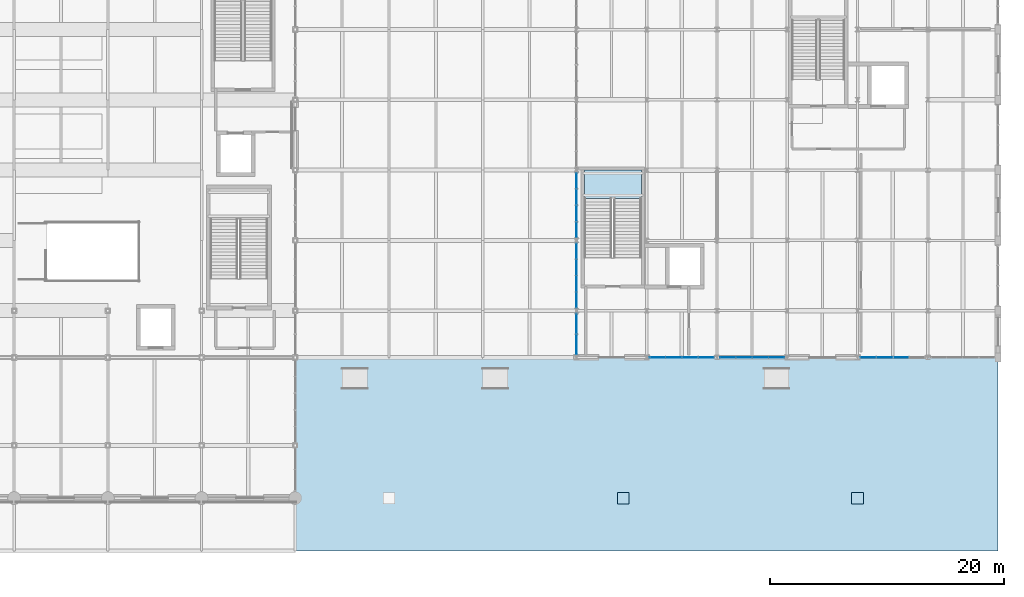
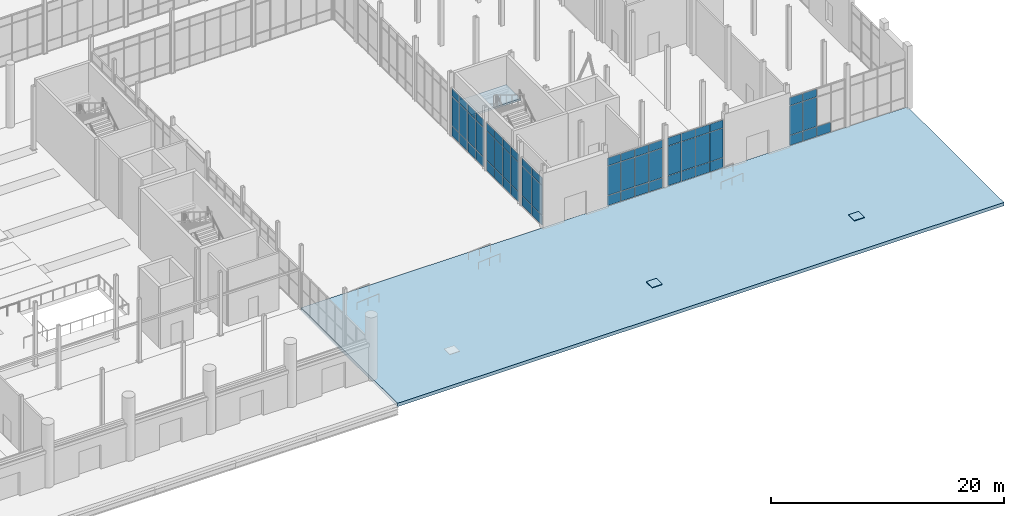
# One storey, part 106 of 140: 63 plates, 2 slabs, 7 elements without a shape of their own.
"""IFC4 building model written with IfcOpenShell, lengths in metres."""

from ifc_helpers import new_model, si_unit, direction, frame, origin, origin_2d, place, context, subcontext, project, spatial, polyline, rectangle, outline, extrude, material, layer, layer_set, type_object, element, aggregate, save


model = new_model("IFC4")

# Units and contexts
model_context = context("Model", 3, precision=1e-05, world=origin(), true_north=direction((0.0, 1.0)))
body_context = subcontext(model_context, "Body", "Model", "MODEL_VIEW")
ifc_project = project(units=[si_unit("LENGTHUNIT", "METRE"), si_unit("AREAUNIT", "SQUARE_METRE"), si_unit("VOLUMEUNIT", "CUBIC_METRE"), si_unit("PLANEANGLEUNIT", "RADIAN"), si_unit("MASSUNIT", "GRAM", prefix="KILO")], contexts=[model_context])

# Site, building, storey
site_placement = place(None, origin())
site = spatial("IfcSite", under=ifc_project, at=site_placement, CompositionType="ELEMENT")
building_placement = place(site_placement, origin())
building = spatial("IfcBuilding", under=site, at=building_placement, Name="Verrall Gate Interchange", CompositionType="ELEMENT")
storey_placement = place(building_placement, origin())
storey = spatial("IfcBuildingStorey", under=building, at=storey_placement, Name="L01", CompositionType="ELEMENT", Elevation=0.0)

# Plates
ifc_material_1 = material(Name="Structural Steel CSA G40.21 350WT Cat 4", Category="steel")
ifc_layer_1 = layer(ifc_material_1, 0.06005859375)
ifc_layer_set_1 = layer_set([ifc_layer_1], Name="Structural Steel CSA G40.21 350WT Cat 4")
plate_type_1 = type_object("IfcPlateType", Name="BP-03 Base Plate 60", PredefinedType="USERDEFINED", material=ifc_layer_set_1)
for number, where, z_axis, x_axis, name in (
    (1, (136.0, 0.0, 0.0), (0.0, 0.0, 1.0), (1.0, 0.0, 0.0), "Apron Pier Cap Plate 1662"),
    (2, (156.0, 0.0, 0.0), (0.0, 0.0, 1.0), (1.0, 0.0, 0.0), "Apron Pier Cap Plate 1663"),
):
    element("IfcPlate", number, at=place(storey_placement, frame(where, z_axis=z_axis, x_axis=x_axis)), inside=storey, type_object=plate_type_1, Name=name, ObjectType="BASE_PLATE", PredefinedType="USERDEFINED", context=body_context, shape_type="SweptSolid", body=[
        extrude(rectangle(XDim=1.0, YDim=1.0, at=origin_2d()), origin(), (0.0, 0.0, 1.0), 0.06005859375),
    ])

# Curtain wall, plates
ifc_material_2 = material(Name="Thermally Broken Anodized Aluminium Curtain Wall Framing", Category="aluminium")
curtain_wall_type_1 = type_object("IfcCurtainWallType", Name="CW-04 Unitized Curtain Wall 5631x5100", PredefinedType="NOTDEFINED", material=ifc_material_2)
curtain_wall_1_placement = place(storey_placement, origin())
curtain_wall_1 = element("IfcCurtainWall", 3, at=curtain_wall_1_placement, inside=storey, type_object=curtain_wall_type_1, Name="L01 Unitized Curtain Wall CW-L01-037", PredefinedType="NOTDEFINED")
ifc_material_3 = material(Name="Triple-Glazed Low-E Argon Insulated Curtain Panel (U=1.45)", Category="glass")
ifc_layer_2 = layer(ifc_material_3, 0.030029296875)
ifc_layer_set_2 = layer_set([ifc_layer_2], Name="Triple-Glazed Low-E Argon Insulated Curtain Panel (U=1.45)")
plate_type_2 = type_object("IfcPlateType", Name="CP-01 Curtain Glazing Panel 30", PredefinedType="CURTAIN_PANEL", material=ifc_layer_set_2)
plate_1_placement = place(storey_placement, frame((138.93115234375, 12.0, 0.06298828125), z_axis=(0.0, 0.0, 1.0), x_axis=(1.0, 0.0, 0.0)))
plate_1 = element("IfcPlate", 4, at=plate_1_placement, type_object=plate_type_2, Name="CW-L01-037 Glazing Panel 1.1", PredefinedType="CURTAIN_PANEL", context=body_context, shape_type="SweptSolid", body=[
    extrude(rectangle(XDim=1.30322265625, YDim=0.030029296875, at=origin_2d()), origin(), (0.0, 0.0, 1.0), 1.011474609375),
])
plate_2_placement = place(storey_placement, frame((138.93115234375, 12.0, 1.12548828125), z_axis=(0.0, 0.0, 1.0), x_axis=(1.0, 0.0, 0.0)))
plate_2 = element("IfcPlate", 5, at=plate_2_placement, type_object=plate_type_2, Name="CW-L01-037 Glazing Panel 1.2", PredefinedType="CURTAIN_PANEL", context=body_context, shape_type="SweptSolid", body=[
    extrude(rectangle(XDim=1.30322265625, YDim=0.030029296875, at=origin_2d()), origin(), (0.0, 0.0, 1.0), 3.049072265625),
])
plate_3_placement = place(storey_placement, frame((138.93115234375, 12.0, 4.225341796875), z_axis=(0.0, 0.0, 1.0), x_axis=(1.0, 0.0, 0.0)))
plate_3 = element("IfcPlate", 6, at=plate_3_placement, type_object=plate_type_2, Name="CW-L01-037 Glazing Panel 1.3", PredefinedType="CURTAIN_PANEL", context=body_context, shape_type="SweptSolid", body=[
    extrude(rectangle(XDim=1.30322265625, YDim=0.030029296875, at=origin_2d()), origin(), (0.0, 0.0, 1.0), 0.8115234375),
])
plate_4_placement = place(storey_placement, frame((140.30419921875, 12.0, 0.06298828125), z_axis=(0.0, 0.0, 1.0), x_axis=(1.0, 0.0, 0.0)))
plate_4 = element("IfcPlate", 7, at=plate_4_placement, type_object=plate_type_2, Name="CW-L01-037 Glazing Panel 2.1", PredefinedType="CURTAIN_PANEL", context=body_context, shape_type="SweptSolid", body=[
    extrude(rectangle(XDim=1.3408203125, YDim=0.030029296875, at=origin_2d()), origin(), (0.0, 0.0, 1.0), 1.011474609375),
])
plate_5_placement = place(storey_placement, frame((140.30419921875, 12.0, 1.12548828125), z_axis=(0.0, 0.0, 1.0), x_axis=(1.0, 0.0, 0.0)))
plate_5 = element("IfcPlate", 8, at=plate_5_placement, type_object=plate_type_2, Name="CW-L01-037 Glazing Panel 2.2", PredefinedType="CURTAIN_PANEL", context=body_context, shape_type="SweptSolid", body=[
    extrude(rectangle(XDim=1.3408203125, YDim=0.030029296875, at=origin_2d()), origin(), (0.0, 0.0, 1.0), 3.049072265625),
])
plate_6_placement = place(storey_placement, frame((140.30419921875, 12.0, 4.225341796875), z_axis=(0.0, 0.0, 1.0), x_axis=(1.0, 0.0, 0.0)))
plate_6 = element("IfcPlate", 9, at=plate_6_placement, type_object=plate_type_2, Name="CW-L01-037 Glazing Panel 2.3", PredefinedType="CURTAIN_PANEL", context=body_context, shape_type="SweptSolid", body=[
    extrude(rectangle(XDim=1.3408203125, YDim=0.030029296875, at=origin_2d()), origin(), (0.0, 0.0, 1.0), 0.8115234375),
])
plate_7_placement = place(storey_placement, frame((141.69580078125, 12.0, 0.06298828125), z_axis=(0.0, 0.0, 1.0), x_axis=(1.0, 0.0, 0.0)))
plate_7 = element("IfcPlate", 10, at=plate_7_placement, type_object=plate_type_2, Name="CW-L01-037 Glazing Panel 3.1", PredefinedType="CURTAIN_PANEL", context=body_context, shape_type="SweptSolid", body=[
    extrude(rectangle(XDim=1.3408203125, YDim=0.030029296875, at=origin_2d()), origin(), (0.0, 0.0, 1.0), 1.011474609375),
])
plate_8_placement = place(storey_placement, frame((141.69580078125, 12.0, 1.12548828125), z_axis=(0.0, 0.0, 1.0), x_axis=(1.0, 0.0, 0.0)))
plate_8 = element("IfcPlate", 11, at=plate_8_placement, type_object=plate_type_2, Name="CW-L01-037 Glazing Panel 3.2", PredefinedType="CURTAIN_PANEL", context=body_context, shape_type="SweptSolid", body=[
    extrude(rectangle(XDim=1.3408203125, YDim=0.030029296875, at=origin_2d()), origin(), (0.0, 0.0, 1.0), 3.049072265625),
])
plate_9_placement = place(storey_placement, frame((141.69580078125, 12.0, 4.225341796875), z_axis=(0.0, 0.0, 1.0), x_axis=(1.0, 0.0, 0.0)))
plate_9 = element("IfcPlate", 12, at=plate_9_placement, type_object=plate_type_2, Name="CW-L01-037 Glazing Panel 3.3", PredefinedType="CURTAIN_PANEL", context=body_context, shape_type="SweptSolid", body=[
    extrude(rectangle(XDim=1.3408203125, YDim=0.030029296875, at=origin_2d()), origin(), (0.0, 0.0, 1.0), 0.8115234375),
])
plate_10_placement = place(storey_placement, frame((143.06884765625, 12.0, 0.06298828125), z_axis=(0.0, 0.0, 1.0), x_axis=(1.0, 0.0, 0.0)))
plate_10 = element("IfcPlate", 13, at=plate_10_placement, type_object=plate_type_2, Name="CW-L01-037 Glazing Panel 4.1", PredefinedType="CURTAIN_PANEL", context=body_context, shape_type="SweptSolid", body=[
    extrude(rectangle(XDim=1.30322265625, YDim=0.030029296875, at=origin_2d()), origin(), (0.0, 0.0, 1.0), 1.011474609375),
])
plate_11_placement = place(storey_placement, frame((143.06884765625, 12.0, 1.12548828125), z_axis=(0.0, 0.0, 1.0), x_axis=(1.0, 0.0, 0.0)))
plate_11 = element("IfcPlate", 14, at=plate_11_placement, type_object=plate_type_2, Name="CW-L01-037 Glazing Panel 4.2", PredefinedType="CURTAIN_PANEL", context=body_context, shape_type="SweptSolid", body=[
    extrude(rectangle(XDim=1.30322265625, YDim=0.030029296875, at=origin_2d()), origin(), (0.0, 0.0, 1.0), 3.049072265625),
])
plate_12_placement = place(storey_placement, frame((143.06884765625, 12.0, 4.225341796875), z_axis=(0.0, 0.0, 1.0), x_axis=(1.0, 0.0, 0.0)))
plate_12 = element("IfcPlate", 15, at=plate_12_placement, type_object=plate_type_2, Name="CW-L01-037 Glazing Panel 4.3", PredefinedType="CURTAIN_PANEL", context=body_context, shape_type="SweptSolid", body=[
    extrude(rectangle(XDim=1.30322265625, YDim=0.030029296875, at=origin_2d()), origin(), (0.0, 0.0, 1.0), 0.8115234375),
])
aggregate(curtain_wall_1, [plate_1, plate_2, plate_3, plate_4, plate_5, plate_6, plate_7, plate_8, plate_9, plate_10, plate_11, plate_12])

curtain_wall_2_placement = place(storey_placement, origin())
curtain_wall_2 = element("IfcCurtainWall", 16, at=curtain_wall_2_placement, inside=storey, type_object=curtain_wall_type_1, Name="L01 Unitized Curtain Wall CW-L01-049", PredefinedType="NOTDEFINED")
plate_13_placement = place(storey_placement, frame((132.0, 27.07373046875, 0.06298828125), z_axis=(0.0, 0.0, 1.0), x_axis=(0.0, -1.0, 0.0)))
plate_13 = element("IfcPlate", 17, at=plate_13_placement, type_object=plate_type_2, Name="CW-L01-049 Glazing Panel 1.1", PredefinedType="CURTAIN_PANEL", context=body_context, shape_type="SweptSolid", body=[
    extrude(rectangle(XDim=1.306396484375, YDim=0.030029296875, at=origin_2d()), origin(), (0.0, 0.0, 1.0), 1.011474609375),
])
plate_14_placement = place(storey_placement, frame((132.0, 27.07373046875, 1.12548828125), z_axis=(0.0, 0.0, 1.0), x_axis=(0.0, -1.0, 0.0)))
plate_14 = element("IfcPlate", 18, at=plate_14_placement, type_object=plate_type_2, Name="CW-L01-049 Glazing Panel 1.2", PredefinedType="CURTAIN_PANEL", context=body_context, shape_type="SweptSolid", body=[
    extrude(rectangle(XDim=1.306396484375, YDim=0.030029296875, at=origin_2d()), origin(), (0.0, 0.0, 1.0), 3.049072265625),
])
plate_15_placement = place(storey_placement, frame((132.0, 27.07373046875, 4.225341796875), z_axis=(0.0, 0.0, 1.0), x_axis=(0.0, -1.0, 0.0)))
plate_15 = element("IfcPlate", 19, at=plate_15_placement, type_object=plate_type_2, Name="CW-L01-049 Glazing Panel 1.3", PredefinedType="CURTAIN_PANEL", context=body_context, shape_type="SweptSolid", body=[
    extrude(rectangle(XDim=1.306396484375, YDim=0.030029296875, at=origin_2d()), origin(), (0.0, 0.0, 1.0), 0.8115234375),
])
plate_16_placement = place(storey_placement, frame((132.0, 25.697509765625, 0.06298828125), z_axis=(0.0, 0.0, 1.0), x_axis=(0.0, -1.0, 0.0)))
plate_16 = element("IfcPlate", 20, at=plate_16_placement, type_object=plate_type_2, Name="CW-L01-049 Glazing Panel 2.1", PredefinedType="CURTAIN_PANEL", context=body_context, shape_type="SweptSolid", body=[
    extrude(rectangle(XDim=1.343994140625, YDim=0.030029296875, at=origin_2d()), origin(), (0.0, 0.0, 1.0), 1.011474609375),
])
plate_17_placement = place(storey_placement, frame((132.0, 25.697509765625, 1.12548828125), z_axis=(0.0, 0.0, 1.0), x_axis=(0.0, -1.0, 0.0)))
plate_17 = element("IfcPlate", 21, at=plate_17_placement, type_object=plate_type_2, Name="CW-L01-049 Glazing Panel 2.2", PredefinedType="CURTAIN_PANEL", context=body_context, shape_type="SweptSolid", body=[
    extrude(rectangle(XDim=1.343994140625, YDim=0.030029296875, at=origin_2d()), origin(), (0.0, 0.0, 1.0), 3.049072265625),
])
plate_18_placement = place(storey_placement, frame((132.0, 25.697509765625, 4.225341796875), z_axis=(0.0, 0.0, 1.0), x_axis=(0.0, -1.0, 0.0)))
plate_18 = element("IfcPlate", 22, at=plate_18_placement, type_object=plate_type_2, Name="CW-L01-049 Glazing Panel 2.3", PredefinedType="CURTAIN_PANEL", context=body_context, shape_type="SweptSolid", body=[
    extrude(rectangle(XDim=1.343994140625, YDim=0.030029296875, at=origin_2d()), origin(), (0.0, 0.0, 1.0), 0.8115234375),
])
plate_19_placement = place(storey_placement, frame((132.0, 24.302490234375, 0.06298828125), z_axis=(0.0, 0.0, 1.0), x_axis=(0.0, -1.0, 0.0)))
plate_19 = element("IfcPlate", 23, at=plate_19_placement, type_object=plate_type_2, Name="CW-L01-049 Glazing Panel 3.1", PredefinedType="CURTAIN_PANEL", context=body_context, shape_type="SweptSolid", body=[
    extrude(rectangle(XDim=1.343994140625, YDim=0.030029296875, at=origin_2d()), origin(), (0.0, 0.0, 1.0), 1.011474609375),
])
plate_20_placement = place(storey_placement, frame((132.0, 24.302490234375, 1.12548828125), z_axis=(0.0, 0.0, 1.0), x_axis=(0.0, -1.0, 0.0)))
plate_20 = element("IfcPlate", 24, at=plate_20_placement, type_object=plate_type_2, Name="CW-L01-049 Glazing Panel 3.2", PredefinedType="CURTAIN_PANEL", context=body_context, shape_type="SweptSolid", body=[
    extrude(rectangle(XDim=1.343994140625, YDim=0.030029296875, at=origin_2d()), origin(), (0.0, 0.0, 1.0), 3.049072265625),
])
plate_21_placement = place(storey_placement, frame((132.0, 24.302490234375, 4.225341796875), z_axis=(0.0, 0.0, 1.0), x_axis=(0.0, -1.0, 0.0)))
plate_21 = element("IfcPlate", 25, at=plate_21_placement, type_object=plate_type_2, Name="CW-L01-049 Glazing Panel 3.3", PredefinedType="CURTAIN_PANEL", context=body_context, shape_type="SweptSolid", body=[
    extrude(rectangle(XDim=1.343994140625, YDim=0.030029296875, at=origin_2d()), origin(), (0.0, 0.0, 1.0), 0.8115234375),
])
plate_22_placement = place(storey_placement, frame((132.0, 22.92626953125, 0.06298828125), z_axis=(0.0, 0.0, 1.0), x_axis=(0.0, -1.0, 0.0)))
plate_22 = element("IfcPlate", 26, at=plate_22_placement, type_object=plate_type_2, Name="CW-L01-049 Glazing Panel 4.1", PredefinedType="CURTAIN_PANEL", context=body_context, shape_type="SweptSolid", body=[
    extrude(rectangle(XDim=1.306396484375, YDim=0.030029296875, at=origin_2d()), origin(), (0.0, 0.0, 1.0), 1.011474609375),
])
plate_23_placement = place(storey_placement, frame((132.0, 22.92626953125, 1.12548828125), z_axis=(0.0, 0.0, 1.0), x_axis=(0.0, -1.0, 0.0)))
plate_23 = element("IfcPlate", 27, at=plate_23_placement, type_object=plate_type_2, Name="CW-L01-049 Glazing Panel 4.2", PredefinedType="CURTAIN_PANEL", context=body_context, shape_type="SweptSolid", body=[
    extrude(rectangle(XDim=1.306396484375, YDim=0.030029296875, at=origin_2d()), origin(), (0.0, 0.0, 1.0), 3.049072265625),
])
plate_24_placement = place(storey_placement, frame((132.0, 22.92626953125, 4.225341796875), z_axis=(0.0, 0.0, 1.0), x_axis=(0.0, -1.0, 0.0)))
plate_24 = element("IfcPlate", 28, at=plate_24_placement, type_object=plate_type_2, Name="CW-L01-049 Glazing Panel 4.3", PredefinedType="CURTAIN_PANEL", context=body_context, shape_type="SweptSolid", body=[
    extrude(rectangle(XDim=1.306396484375, YDim=0.030029296875, at=origin_2d()), origin(), (0.0, 0.0, 1.0), 0.8115234375),
])
aggregate(curtain_wall_2, [plate_13, plate_14, plate_15, plate_16, plate_17, plate_18, plate_19, plate_20, plate_21, plate_22, plate_23, plate_24])

curtain_wall_3_placement = place(storey_placement, origin())
curtain_wall_3 = element("IfcCurtainWall", 29, at=curtain_wall_3_placement, inside=storey, type_object=curtain_wall_type_1, Name="L01 Unitized Curtain Wall CW-L01-038", PredefinedType="NOTDEFINED")
ifc_material_4 = material(Name="Triple-Glazed Low-E Argon Insulated Curtain Panel (U=1.45)", Category="glass")
ifc_layer_3 = layer(ifc_material_4, 0.0400390625)
ifc_layer_set_3 = layer_set([ifc_layer_3], Name="Triple-Glazed Low-E Argon Insulated Curtain Panel (U=1.45)")
plate_type_3 = type_object("IfcPlateType", Name="CP-02 Curtain Glazing Panel 40", PredefinedType="CURTAIN_PANEL", material=ifc_layer_set_3)
plate_25_placement = place(storey_placement, frame((144.9287109375, 12.0, 0.0546875), z_axis=(0.0, 0.0, 1.0), x_axis=(1.0, 0.0, 0.0)))
plate_25 = element("IfcPlate", 30, at=plate_25_placement, type_object=plate_type_3, Name="CW-L01-038 Glazing Panel 1.1", PredefinedType="CURTAIN_PANEL", context=body_context, shape_type="SweptSolid", body=[
    extrude(rectangle(XDim=1.315185546875, YDim=0.0400390625, at=origin_2d()), origin(), (0.0, 0.0, 1.0), 1.023193359375),
])
plate_26_placement = place(storey_placement, frame((144.9287109375, 12.0, 1.1220703125), z_axis=(0.0, 0.0, 1.0), x_axis=(1.0, 0.0, 0.0)))
plate_26 = element("IfcPlate", 31, at=plate_26_placement, type_object=plate_type_3, Name="CW-L01-038 Glazing Panel 1.2", PredefinedType="CURTAIN_PANEL", context=body_context, shape_type="SweptSolid", body=[
    extrude(rectangle(XDim=1.315185546875, YDim=0.0400390625, at=origin_2d()), origin(), (0.0, 0.0, 1.0), 3.055908203125),
])
plate_27_placement = place(storey_placement, frame((144.9287109375, 12.0, 4.22216796875), z_axis=(0.0, 0.0, 1.0), x_axis=(1.0, 0.0, 0.0)))
plate_27 = element("IfcPlate", 32, at=plate_27_placement, type_object=plate_type_3, Name="CW-L01-038 Glazing Panel 1.3", PredefinedType="CURTAIN_PANEL", context=body_context, shape_type="SweptSolid", body=[
    extrude(rectangle(XDim=1.315185546875, YDim=0.0400390625, at=origin_2d()), origin(), (0.0, 0.0, 1.0), 0.8232421875),
])
plate_28_placement = place(storey_placement, frame((146.30419921875, 12.0, 0.0546875), z_axis=(0.0, 0.0, 1.0), x_axis=(1.0, 0.0, 0.0)))
plate_28 = element("IfcPlate", 33, at=plate_28_placement, type_object=plate_type_3, Name="CW-L01-038 Glazing Panel 2.1", PredefinedType="CURTAIN_PANEL", context=body_context, shape_type="SweptSolid", body=[
    extrude(rectangle(XDim=1.347412109375, YDim=0.0400390625, at=origin_2d()), origin(), (0.0, 0.0, 1.0), 1.023193359375),
])
plate_29_placement = place(storey_placement, frame((146.30419921875, 12.0, 1.1220703125), z_axis=(0.0, 0.0, 1.0), x_axis=(1.0, 0.0, 0.0)))
plate_29 = element("IfcPlate", 34, at=plate_29_placement, type_object=plate_type_3, Name="CW-L01-038 Glazing Panel 2.2", PredefinedType="CURTAIN_PANEL", context=body_context, shape_type="SweptSolid", body=[
    extrude(rectangle(XDim=1.347412109375, YDim=0.0400390625, at=origin_2d()), origin(), (0.0, 0.0, 1.0), 3.055908203125),
])
plate_30_placement = place(storey_placement, frame((146.30419921875, 12.0, 4.22216796875), z_axis=(0.0, 0.0, 1.0), x_axis=(1.0, 0.0, 0.0)))
plate_30 = element("IfcPlate", 35, at=plate_30_placement, type_object=plate_type_3, Name="CW-L01-038 Glazing Panel 2.3", PredefinedType="CURTAIN_PANEL", context=body_context, shape_type="SweptSolid", body=[
    extrude(rectangle(XDim=1.347412109375, YDim=0.0400390625, at=origin_2d()), origin(), (0.0, 0.0, 1.0), 0.8232421875),
])
plate_31_placement = place(storey_placement, frame((147.69580078125, 12.0, 0.0546875), z_axis=(0.0, 0.0, 1.0), x_axis=(1.0, 0.0, 0.0)))
plate_31 = element("IfcPlate", 36, at=plate_31_placement, type_object=plate_type_3, Name="CW-L01-038 Glazing Panel 3.1", PredefinedType="CURTAIN_PANEL", context=body_context, shape_type="SweptSolid", body=[
    extrude(rectangle(XDim=1.34765625, YDim=0.0400390625, at=origin_2d()), origin(), (0.0, 0.0, 1.0), 1.023193359375),
])
plate_32_placement = place(storey_placement, frame((147.69580078125, 12.0, 1.1220703125), z_axis=(0.0, 0.0, 1.0), x_axis=(1.0, 0.0, 0.0)))
plate_32 = element("IfcPlate", 37, at=plate_32_placement, type_object=plate_type_3, Name="CW-L01-038 Glazing Panel 3.2", PredefinedType="CURTAIN_PANEL", context=body_context, shape_type="SweptSolid", body=[
    extrude(rectangle(XDim=1.34765625, YDim=0.0400390625, at=origin_2d()), origin(), (0.0, 0.0, 1.0), 3.055908203125),
])
plate_33_placement = place(storey_placement, frame((147.69580078125, 12.0, 4.22216796875), z_axis=(0.0, 0.0, 1.0), x_axis=(1.0, 0.0, 0.0)))
plate_33 = element("IfcPlate", 38, at=plate_33_placement, type_object=plate_type_3, Name="CW-L01-038 Glazing Panel 3.3", PredefinedType="CURTAIN_PANEL", context=body_context, shape_type="SweptSolid", body=[
    extrude(rectangle(XDim=1.34765625, YDim=0.0400390625, at=origin_2d()), origin(), (0.0, 0.0, 1.0), 0.8232421875),
])
plate_34_placement = place(storey_placement, frame((149.0712890625, 12.0, 0.0546875), z_axis=(0.0, 0.0, 1.0), x_axis=(1.0, 0.0, 0.0)))
plate_34 = element("IfcPlate", 39, at=plate_34_placement, type_object=plate_type_3, Name="CW-L01-038 Glazing Panel 4.1", PredefinedType="CURTAIN_PANEL", context=body_context, shape_type="SweptSolid", body=[
    extrude(rectangle(XDim=1.31494140625, YDim=0.0400390625, at=origin_2d()), origin(), (0.0, 0.0, 1.0), 1.023193359375),
])
plate_35_placement = place(storey_placement, frame((149.0712890625, 12.0, 1.1220703125), z_axis=(0.0, 0.0, 1.0), x_axis=(1.0, 0.0, 0.0)))
plate_35 = element("IfcPlate", 40, at=plate_35_placement, type_object=plate_type_3, Name="CW-L01-038 Glazing Panel 4.2", PredefinedType="CURTAIN_PANEL", context=body_context, shape_type="SweptSolid", body=[
    extrude(rectangle(XDim=1.31494140625, YDim=0.0400390625, at=origin_2d()), origin(), (0.0, 0.0, 1.0), 3.055908203125),
])
plate_36_placement = place(storey_placement, frame((149.0712890625, 12.0, 4.22216796875), z_axis=(0.0, 0.0, 1.0), x_axis=(1.0, 0.0, 0.0)))
plate_36 = element("IfcPlate", 41, at=plate_36_placement, type_object=plate_type_3, Name="CW-L01-038 Glazing Panel 4.3", PredefinedType="CURTAIN_PANEL", context=body_context, shape_type="SweptSolid", body=[
    extrude(rectangle(XDim=1.31494140625, YDim=0.0400390625, at=origin_2d()), origin(), (0.0, 0.0, 1.0), 0.8232421875),
])
aggregate(curtain_wall_3, [plate_25, plate_26, plate_27, plate_28, plate_29, plate_30, plate_31, plate_32, plate_33, plate_34, plate_35, plate_36])

curtain_wall_4_placement = place(storey_placement, origin())
curtain_wall_4 = element("IfcCurtainWall", 42, at=curtain_wall_4_placement, inside=storey, type_object=curtain_wall_type_1, Name="L01 Unitized Curtain Wall CW-L01-039", PredefinedType="NOTDEFINED")
plate_37_placement = place(storey_placement, frame((156.93115234375, 12.0, 0.06298828125), z_axis=(0.0, 0.0, 1.0), x_axis=(1.0, 0.0, 0.0)))
plate_37 = element("IfcPlate", 43, at=plate_37_placement, type_object=plate_type_3, Name="CW-L01-039 Glazing Panel 1.1", PredefinedType="CURTAIN_PANEL", context=body_context, shape_type="SweptSolid", body=[
    extrude(rectangle(XDim=1.30322265625, YDim=0.0400390625, at=origin_2d()), origin(), (0.0, 0.0, 1.0), 1.011474609375),
])
plate_38_placement = place(storey_placement, frame((156.93115234375, 12.0, 1.12548828125), z_axis=(0.0, 0.0, 1.0), x_axis=(1.0, 0.0, 0.0)))
plate_38 = element("IfcPlate", 44, at=plate_38_placement, type_object=plate_type_3, Name="CW-L01-039 Glazing Panel 1.2", PredefinedType="CURTAIN_PANEL", context=body_context, shape_type="SweptSolid", body=[
    extrude(rectangle(XDim=1.30322265625, YDim=0.0400390625, at=origin_2d()), origin(), (0.0, 0.0, 1.0), 3.049072265625),
])
plate_39_placement = place(storey_placement, frame((156.93115234375, 12.0, 4.225341796875), z_axis=(0.0, 0.0, 1.0), x_axis=(1.0, 0.0, 0.0)))
plate_39 = element("IfcPlate", 45, at=plate_39_placement, type_object=plate_type_3, Name="CW-L01-039 Glazing Panel 1.3", PredefinedType="CURTAIN_PANEL", context=body_context, shape_type="SweptSolid", body=[
    extrude(rectangle(XDim=1.30322265625, YDim=0.0400390625, at=origin_2d()), origin(), (0.0, 0.0, 1.0), 0.8115234375),
])
plate_40_placement = place(storey_placement, frame((158.30419921875, 12.0, 0.06298828125), z_axis=(0.0, 0.0, 1.0), x_axis=(1.0, 0.0, 0.0)))
plate_40 = element("IfcPlate", 46, at=plate_40_placement, type_object=plate_type_3, Name="CW-L01-039 Glazing Panel 2.1", PredefinedType="CURTAIN_PANEL", context=body_context, shape_type="SweptSolid", body=[
    extrude(rectangle(XDim=1.3408203125, YDim=0.0400390625, at=origin_2d()), origin(), (0.0, 0.0, 1.0), 1.011474609375),
])
plate_41_placement = place(storey_placement, frame((158.30419921875, 12.0, 1.12548828125), z_axis=(0.0, 0.0, 1.0), x_axis=(1.0, 0.0, 0.0)))
plate_41 = element("IfcPlate", 47, at=plate_41_placement, type_object=plate_type_3, Name="CW-L01-039 Glazing Panel 2.2", PredefinedType="CURTAIN_PANEL", context=body_context, shape_type="SweptSolid", body=[
    extrude(rectangle(XDim=1.3408203125, YDim=0.0400390625, at=origin_2d()), origin(), (0.0, 0.0, 1.0), 3.049072265625),
])
plate_42_placement = place(storey_placement, frame((158.30419921875, 12.0, 4.225341796875), z_axis=(0.0, 0.0, 1.0), x_axis=(1.0, 0.0, 0.0)))
plate_42 = element("IfcPlate", 48, at=plate_42_placement, type_object=plate_type_3, Name="CW-L01-039 Glazing Panel 2.3", PredefinedType="CURTAIN_PANEL", context=body_context, shape_type="SweptSolid", body=[
    extrude(rectangle(XDim=1.3408203125, YDim=0.0400390625, at=origin_2d()), origin(), (0.0, 0.0, 1.0), 0.8115234375),
])
plate_43_placement = place(storey_placement, frame((159.69580078125, 12.0, 0.06298828125), z_axis=(0.0, 0.0, 1.0), x_axis=(1.0, 0.0, 0.0)))
plate_43 = element("IfcPlate", 49, at=plate_43_placement, type_object=plate_type_3, Name="CW-L01-039 Glazing Panel 3.1", PredefinedType="CURTAIN_PANEL", context=body_context, shape_type="SweptSolid", body=[
    extrude(rectangle(XDim=1.3408203125, YDim=0.0400390625, at=origin_2d()), origin(), (0.0, 0.0, 1.0), 1.011474609375),
])
aggregate(curtain_wall_4, [plate_37, plate_38, plate_39, plate_40, plate_41, plate_42, plate_43])

curtain_wall_5_placement = place(storey_placement, origin())
curtain_wall_5 = element("IfcCurtainWall", 50, at=curtain_wall_5_placement, inside=storey, type_object=curtain_wall_type_1, Name="L01 Unitized Curtain Wall CW-L01-050", PredefinedType="NOTDEFINED")
plate_44_placement = place(storey_placement, frame((132.0, 21.076171875, 0.0546875), z_axis=(0.0, 0.0, 1.0), x_axis=(0.0, -1.0, 0.0)))
plate_44 = element("IfcPlate", 51, at=plate_44_placement, type_object=plate_type_3, Name="CW-L01-050 Glazing Panel 1.1", PredefinedType="CURTAIN_PANEL", context=body_context, shape_type="SweptSolid", body=[
    extrude(rectangle(XDim=1.318359375, YDim=0.0400390625, at=origin_2d()), origin(), (0.0, 0.0, 1.0), 1.023193359375),
])
plate_45_placement = place(storey_placement, frame((132.0, 21.076171875, 1.1220703125), z_axis=(0.0, 0.0, 1.0), x_axis=(0.0, -1.0, 0.0)))
plate_45 = element("IfcPlate", 52, at=plate_45_placement, type_object=plate_type_3, Name="CW-L01-050 Glazing Panel 1.2", PredefinedType="CURTAIN_PANEL", context=body_context, shape_type="SweptSolid", body=[
    extrude(rectangle(XDim=1.318359375, YDim=0.0400390625, at=origin_2d()), origin(), (0.0, 0.0, 1.0), 3.055908203125),
])
plate_46_placement = place(storey_placement, frame((132.0, 21.076171875, 4.22216796875), z_axis=(0.0, 0.0, 1.0), x_axis=(0.0, -1.0, 0.0)))
plate_46 = element("IfcPlate", 53, at=plate_46_placement, type_object=plate_type_3, Name="CW-L01-050 Glazing Panel 1.3", PredefinedType="CURTAIN_PANEL", context=body_context, shape_type="SweptSolid", body=[
    extrude(rectangle(XDim=1.318359375, YDim=0.0400390625, at=origin_2d()), origin(), (0.0, 0.0, 1.0), 0.8232421875),
])
plate_47_placement = place(storey_placement, frame((132.0, 19.697509765625, 0.0546875), z_axis=(0.0, 0.0, 1.0), x_axis=(0.0, -1.0, 0.0)))
plate_47 = element("IfcPlate", 54, at=plate_47_placement, type_object=plate_type_3, Name="CW-L01-050 Glazing Panel 2.1", PredefinedType="CURTAIN_PANEL", context=body_context, shape_type="SweptSolid", body=[
    extrude(rectangle(XDim=1.350830078125, YDim=0.0400390625, at=origin_2d()), origin(), (0.0, 0.0, 1.0), 1.023193359375),
])
plate_48_placement = place(storey_placement, frame((132.0, 19.697509765625, 1.1220703125), z_axis=(0.0, 0.0, 1.0), x_axis=(0.0, -1.0, 0.0)))
plate_48 = element("IfcPlate", 55, at=plate_48_placement, type_object=plate_type_3, Name="CW-L01-050 Glazing Panel 2.2", PredefinedType="CURTAIN_PANEL", context=body_context, shape_type="SweptSolid", body=[
    extrude(rectangle(XDim=1.350830078125, YDim=0.0400390625, at=origin_2d()), origin(), (0.0, 0.0, 1.0), 3.055908203125),
])
plate_49_placement = place(storey_placement, frame((132.0, 19.697509765625, 4.22216796875), z_axis=(0.0, 0.0, 1.0), x_axis=(0.0, -1.0, 0.0)))
plate_49 = element("IfcPlate", 56, at=plate_49_placement, type_object=plate_type_3, Name="CW-L01-050 Glazing Panel 2.3", PredefinedType="CURTAIN_PANEL", context=body_context, shape_type="SweptSolid", body=[
    extrude(rectangle(XDim=1.350830078125, YDim=0.0400390625, at=origin_2d()), origin(), (0.0, 0.0, 1.0), 0.8232421875),
])
plate_50_placement = place(storey_placement, frame((132.0, 18.302490234375, 0.0546875), z_axis=(0.0, 0.0, 1.0), x_axis=(0.0, -1.0, 0.0)))
plate_50 = element("IfcPlate", 57, at=plate_50_placement, type_object=plate_type_3, Name="CW-L01-050 Glazing Panel 3.1", PredefinedType="CURTAIN_PANEL", context=body_context, shape_type="SweptSolid", body=[
    extrude(rectangle(XDim=1.350830078125, YDim=0.0400390625, at=origin_2d()), origin(), (0.0, 0.0, 1.0), 1.023193359375),
])
plate_51_placement = place(storey_placement, frame((132.0, 18.302490234375, 1.1220703125), z_axis=(0.0, 0.0, 1.0), x_axis=(0.0, -1.0, 0.0)))
plate_51 = element("IfcPlate", 58, at=plate_51_placement, type_object=plate_type_3, Name="CW-L01-050 Glazing Panel 3.2", PredefinedType="CURTAIN_PANEL", context=body_context, shape_type="SweptSolid", body=[
    extrude(rectangle(XDim=1.350830078125, YDim=0.0400390625, at=origin_2d()), origin(), (0.0, 0.0, 1.0), 3.055908203125),
])
plate_52_placement = place(storey_placement, frame((132.0, 18.302490234375, 4.22216796875), z_axis=(0.0, 0.0, 1.0), x_axis=(0.0, -1.0, 0.0)))
plate_52 = element("IfcPlate", 59, at=plate_52_placement, type_object=plate_type_3, Name="CW-L01-050 Glazing Panel 3.3", PredefinedType="CURTAIN_PANEL", context=body_context, shape_type="SweptSolid", body=[
    extrude(rectangle(XDim=1.350830078125, YDim=0.0400390625, at=origin_2d()), origin(), (0.0, 0.0, 1.0), 0.8232421875),
])
plate_53_placement = place(storey_placement, frame((132.0, 16.923583984375, 0.0546875), z_axis=(0.0, 0.0, 1.0), x_axis=(0.0, -1.0, 0.0)))
plate_53 = element("IfcPlate", 60, at=plate_53_placement, type_object=plate_type_3, Name="CW-L01-050 Glazing Panel 4.1", PredefinedType="CURTAIN_PANEL", context=body_context, shape_type="SweptSolid", body=[
    extrude(rectangle(XDim=1.318359375, YDim=0.0400390625, at=origin_2d()), origin(), (0.0, 0.0, 1.0), 1.023193359375),
])
plate_54_placement = place(storey_placement, frame((132.0, 16.923583984375, 1.1220703125), z_axis=(0.0, 0.0, 1.0), x_axis=(0.0, -1.0, 0.0)))
plate_54 = element("IfcPlate", 61, at=plate_54_placement, type_object=plate_type_3, Name="CW-L01-050 Glazing Panel 4.2", PredefinedType="CURTAIN_PANEL", context=body_context, shape_type="SweptSolid", body=[
    extrude(rectangle(XDim=1.318359375, YDim=0.0400390625, at=origin_2d()), origin(), (0.0, 0.0, 1.0), 3.055908203125),
])
plate_55_placement = place(storey_placement, frame((132.0, 16.923583984375, 4.22216796875), z_axis=(0.0, 0.0, 1.0), x_axis=(0.0, -1.0, 0.0)))
plate_55 = element("IfcPlate", 62, at=plate_55_placement, type_object=plate_type_3, Name="CW-L01-050 Glazing Panel 4.3", PredefinedType="CURTAIN_PANEL", context=body_context, shape_type="SweptSolid", body=[
    extrude(rectangle(XDim=1.318359375, YDim=0.0400390625, at=origin_2d()), origin(), (0.0, 0.0, 1.0), 0.8232421875),
])
aggregate(curtain_wall_5, [plate_44, plate_45, plate_46, plate_47, plate_48, plate_49, plate_50, plate_51, plate_52, plate_53, plate_54, plate_55])

ifc_material_5 = material(Name="Thermally Broken Anodized Aluminium Curtain Wall Framing", Category="aluminium")
curtain_wall_type_2 = type_object("IfcCurtainWallType", Name="CW-05 Unitized Curtain Wall 3631x5100", PredefinedType="NOTDEFINED", material=ifc_material_5)
curtain_wall_6_placement = place(storey_placement, origin())
curtain_wall_6 = element("IfcCurtainWall", 63, at=curtain_wall_6_placement, inside=storey, type_object=curtain_wall_type_2, Name="L01 Unitized Curtain Wall CW-L01-051", PredefinedType="NOTDEFINED")
plate_56_placement = place(storey_placement, frame((132.0, 14.876220703125, 0.06298828125), z_axis=(0.0, 0.0, 1.0), x_axis=(0.0, -1.0, 0.0)))
plate_56 = element("IfcPlate", 64, at=plate_56_placement, type_object=plate_type_3, Name="CW-L01-051 Glazing Panel 1.1", PredefinedType="CURTAIN_PANEL", context=body_context, shape_type="SweptSolid", body=[
    extrude(rectangle(XDim=1.701416015625, YDim=0.0400390625, at=origin_2d()), origin(), (0.0, 0.0, 1.0), 1.011474609375),
])
plate_57_placement = place(storey_placement, frame((132.0, 14.876220703125, 1.12548828125), z_axis=(0.0, 0.0, 1.0), x_axis=(0.0, -1.0, 0.0)))
plate_57 = element("IfcPlate", 65, at=plate_57_placement, type_object=plate_type_3, Name="CW-L01-051 Glazing Panel 1.2", PredefinedType="CURTAIN_PANEL", context=body_context, shape_type="SweptSolid", body=[
    extrude(rectangle(XDim=1.701416015625, YDim=0.0400390625, at=origin_2d()), origin(), (0.0, 0.0, 1.0), 3.049072265625),
])
plate_58_placement = place(storey_placement, frame((132.0, 14.876220703125, 4.225341796875), z_axis=(0.0, 0.0, 1.0), x_axis=(0.0, -1.0, 0.0)))
plate_58 = element("IfcPlate", 66, at=plate_58_placement, type_object=plate_type_3, Name="CW-L01-051 Glazing Panel 1.3", PredefinedType="CURTAIN_PANEL", context=body_context, shape_type="SweptSolid", body=[
    extrude(rectangle(XDim=1.701416015625, YDim=0.0400390625, at=origin_2d()), origin(), (0.0, 0.0, 1.0), 0.8115234375),
])
plate_59_placement = place(storey_placement, frame((132.0, 13.123779296875, 0.06298828125), z_axis=(0.0, 0.0, 1.0), x_axis=(0.0, -1.0, 0.0)))
plate_59 = element("IfcPlate", 67, at=plate_59_placement, type_object=plate_type_3, Name="CW-L01-051 Glazing Panel 2.1", PredefinedType="CURTAIN_PANEL", context=body_context, shape_type="SweptSolid", body=[
    extrude(rectangle(XDim=1.701416015625, YDim=0.0400390625, at=origin_2d()), origin(), (0.0, 0.0, 1.0), 1.011474609375),
])
plate_60_placement = place(storey_placement, frame((132.0, 13.123779296875, 1.12548828125), z_axis=(0.0, 0.0, 1.0), x_axis=(0.0, -1.0, 0.0)))
plate_60 = element("IfcPlate", 68, at=plate_60_placement, type_object=plate_type_3, Name="CW-L01-051 Glazing Panel 2.2", PredefinedType="CURTAIN_PANEL", context=body_context, shape_type="SweptSolid", body=[
    extrude(rectangle(XDim=1.701416015625, YDim=0.0400390625, at=origin_2d()), origin(), (0.0, 0.0, 1.0), 3.049072265625),
])
plate_61_placement = place(storey_placement, frame((132.0, 13.123779296875, 4.225341796875), z_axis=(0.0, 0.0, 1.0), x_axis=(0.0, -1.0, 0.0)))
plate_61 = element("IfcPlate", 69, at=plate_61_placement, type_object=plate_type_3, Name="CW-L01-051 Glazing Panel 2.3", PredefinedType="CURTAIN_PANEL", context=body_context, shape_type="SweptSolid", body=[
    extrude(rectangle(XDim=1.701416015625, YDim=0.0400390625, at=origin_2d()), origin(), (0.0, 0.0, 1.0), 0.8115234375),
])
aggregate(curtain_wall_6, [plate_56, plate_57, plate_58, plate_59, plate_60, plate_61])

# Slab
ifc_material_6 = material(Name="Concrete CSA A23.1 40 MPa (Class C-1)", Category="concrete")
ifc_layer_4 = layer(ifc_material_6, 0.35009765625)
ifc_layer_set_4 = layer_set([ifc_layer_4], Name="Concrete CSA A23.1 40 MPa (Class C-1)")
slab_type_1 = type_object("IfcSlabType", Name="FS-05 Floor Slab 350", PredefinedType="FLOOR", material=ifc_layer_set_4)
slab_1_placement = place(storey_placement, frame((0.0, 0.0, -0.35009765625)))
element("IfcSlab", 70, at=slab_1_placement, inside=storey, type_object=slab_type_1, Name="L01 Structural Slab SLB-L01-AP8", PredefinedType="FLOOR", context=body_context, shape_type="SweptSolid", body=[
    extrude(outline(polyline([(108.0, 0.0), (108.0, 12.0), (132.0, 12.0), (150.0, 12.0), (168.0, 12.0), (168.0, -4.5), (108.0, -4.5), (108.0, 0.0)])), origin(), (0.0, 0.0, 1.0), 0.35009765625),
])

# Stair, slab
ifc_material_7 = material(Name="Concrete CSA A23.1 40 MPa (Class N)", Category="concrete")
stair_type = type_object("IfcStairType", Name="ST-T16 Straight-Flight Return Exit Stair W2330 H6600", PredefinedType="STRAIGHT_RUN_STAIR", material=ifc_material_7)
stair_placement = place(storey_placement, origin())
stair = element("IfcStair", 71, at=stair_placement, inside=storey, type_object=stair_type, Name="L01 ST-08", PredefinedType="STRAIGHT_RUN_STAIR")
ifc_material_8 = material(Name="Concrete CSA A23.1 40 MPa (Class N)", Category="concrete")
ifc_layer_5 = layer(ifc_material_8, 0.18994140625)
ifc_layer_set_5 = layer_set([ifc_layer_5], Name="Concrete CSA A23.1 40 MPa (Class N)")
slab_type_2 = type_object("IfcSlabType", Name="LS-01 Stair Landing Slab 190", PredefinedType="LANDING", material=ifc_layer_set_5)
slab_2_placement = place(storey_placement, frame((0.0, 0.0, 3.10009765625)))
slab_2 = element("IfcSlab", 72, at=slab_2_placement, type_object=slab_type_2, Name="ST-08 landing 1", PredefinedType="LANDING", context=body_context, shape_type="SweptSolid", body=[
    extrude(outline(polyline([(137.5400390625, 25.570068359375), (137.5400390625, 28.0), (132.679931640625, 28.0), (132.679931640625, 25.570068359375), (137.5400390625, 25.570068359375)])), origin(), (0.0, 0.0, 1.0), 0.199951171875),
])
aggregate(stair, [slab_2])

save(model, "model.ifc")
